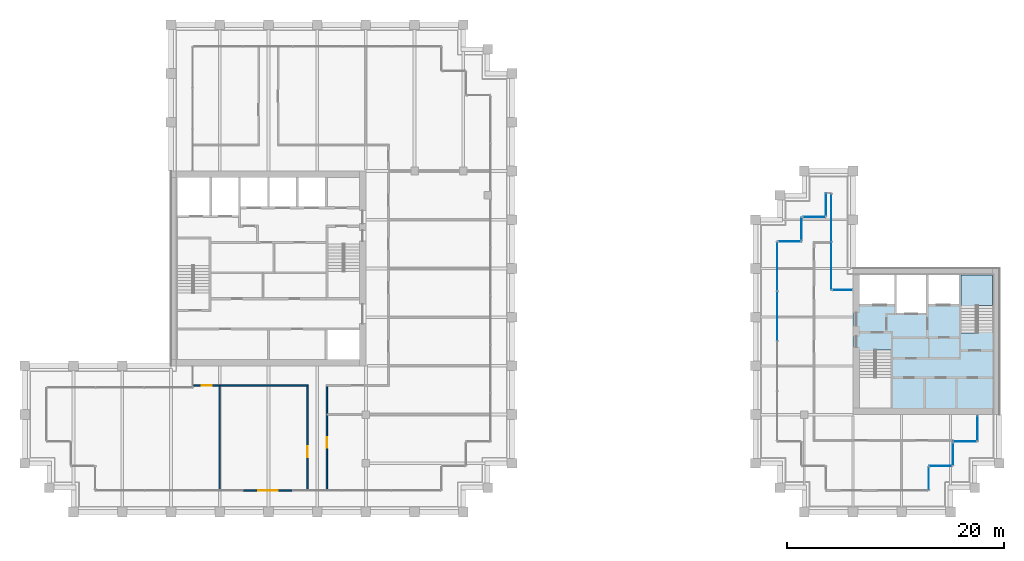
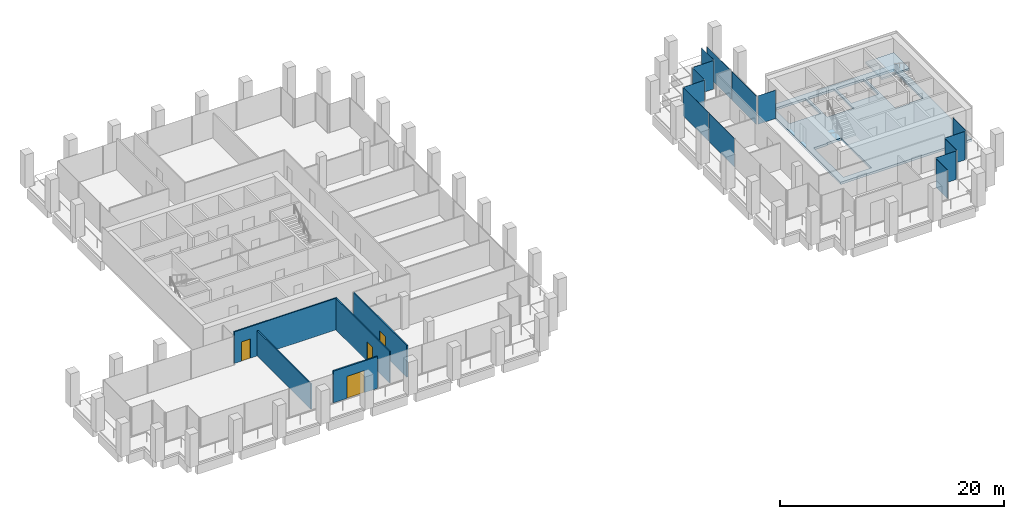
# One storey, part 35 of 40: 14 plates, 5 walls, 4 doors, 2 slabs, 4 openings, 13 elements without a shape of their own.
"""IFC4 building model written with IfcOpenShell, lengths in metres."""

from ifc_helpers import new_model, si_unit, direction, frame, frame_2d, origin, origin_2d, place, context, subcontext, project, spatial, polyline, rectangle, outline, extrude, material, layer, layer_set, type_object, element, fill, aggregate, save


model = new_model("IFC4")

# Units and contexts
model_context = context("Model", 3, precision=1e-05, world=origin(), true_north=direction((0.0, 1.0)))
body_context = subcontext(model_context, "Body", "Model", "MODEL_VIEW")
ifc_project = project(units=[si_unit("LENGTHUNIT", "METRE"), si_unit("AREAUNIT", "SQUARE_METRE"), si_unit("VOLUMEUNIT", "CUBIC_METRE"), si_unit("PLANEANGLEUNIT", "RADIAN"), si_unit("MASSUNIT", "GRAM", prefix="KILO")], contexts=[model_context])

# Site, building, storey
site_placement = place(None, origin())
site = spatial("IfcSite", under=ifc_project, at=site_placement, CompositionType="ELEMENT")
building_placement = place(site_placement, origin())
building = spatial("IfcBuilding", under=site, at=building_placement, Name="Altepetl Exchange Towers", CompositionType="ELEMENT")
storey_placement = place(building_placement, frame((0.0, 0.0, 151.0)))
storey = spatial("IfcBuildingStorey", under=building, at=storey_placement, Name="L37", CompositionType="ELEMENT", Elevation=151.0)

# Slab
ifc_material_1 = material(Name="Concrete C40/50", Category="concrete")
ifc_layer_1 = layer(ifc_material_1, 0.25)
ifc_layer_set_1 = layer_set([ifc_layer_1], Name="Concrete C40/50")
slab_type_1 = type_object("IfcSlabType", Name="Core floor slab 250", PredefinedType="FLOOR", material=ifc_layer_set_1)
slab_1_placement = place(storey_placement, frame((0.0, 0.0, -0.25)))
element("IfcSlab", 1, at=slab_1_placement, inside=storey, type_object=slab_type_1, Name="slab:B:L37:core0", PredefinedType="FLOOR", context=body_context, shape_type="SweptSolid", body=[
    extrude(outline(polyline([(103.5, 36.0), (117.0, 36.0), (117.0, 49.5), (103.5, 49.5), (103.5, 36.0)]), holes=[polyline([(107.0, 36.60009765625), (104.10009765625, 36.60009765625), (104.10009765625, 41.85009765625), (105.5, 41.85009765625), (105.5, 41.948974609375), (107.0, 41.948974609375), (107.0, 36.60009765625)]), polyline([(113.5, 48.89990234375), (116.39990234375, 48.89990234375), (116.39990234375, 43.64990234375), (115.0, 43.64990234375), (115.0, 43.551025390625), (113.5, 43.551025390625), (113.5, 48.89990234375)]), polyline([(107.532958984375, 45.39990234375), (107.532958984375, 48.89990234375), (110.26708984375, 48.89990234375), (110.26708984375, 45.39990234375), (107.532958984375, 45.39990234375)]), polyline([(104.10009765625, 48.89990234375), (107.3330078125, 48.89990234375), (107.3330078125, 46.199951171875), (104.10009765625, 46.199951171875), (104.10009765625, 48.89990234375)]), polyline([(110.467041015625, 48.89990234375), (113.300048828125, 48.89990234375), (113.300048828125, 46.199951171875), (110.467041015625, 46.199951171875), (110.467041015625, 48.89990234375)])]), origin(), (0.0, 0.0, 1.0), 0.25),
])

# Curtain wall, plate
ifc_material_2 = material(Name="Aluminium 6063-T6 glazing", Category="aluminium")
curtain_wall_type = type_object("IfcCurtainWallType", Name="Loggia glazing system", PredefinedType="NOTDEFINED", material=ifc_material_2)
curtain_wall_1_placement = place(storey_placement, origin())
curtain_wall_1 = element("IfcCurtainWall", 2, at=curtain_wall_1_placement, inside=storey, type_object=curtain_wall_type, Name="CW1 run", PredefinedType="NOTDEFINED")
ifc_material_3 = material(Name="Glass 6-16-6 low emissivity", Category="glass")
ifc_layer_2 = layer(ifc_material_3, 0.028076171875)
ifc_layer_set_2 = layer_set([ifc_layer_2], Name="Glass 6-16-6 low emissivity")
plate_type = type_object("IfcPlateType", Name="Glass panel 28 double glazed", PredefinedType="CURTAIN_PANEL", material=ifc_layer_set_2)
plate_1_placement = place(storey_placement, frame((110.5, 30.08740234375, 0.0), z_axis=(0.0, 0.0, 1.0), x_axis=(0.0, 1.0, 0.0)))
plate_1 = element("IfcPlate", 3, at=plate_1_placement, type_object=plate_type, Name="GP1 panel", PredefinedType="CURTAIN_PANEL", context=body_context, shape_type="SweptSolid", body=[
    extrude(rectangle(XDim=2.054931640625, YDim=0.028076171875, at=origin_2d()), origin(), (0.0, 0.0, 1.0), 3.10009765625),
])
aggregate(curtain_wall_1, [plate_1])

curtain_wall_2_placement = place(storey_placement, origin())
curtain_wall_2 = element("IfcCurtainWall", 4, at=curtain_wall_2_placement, inside=storey, type_object=curtain_wall_type, Name="CW1 run", PredefinedType="NOTDEFINED")
plate_2_placement = place(storey_placement, frame((111.58740234375, 31.25, 0.0)))
plate_2 = element("IfcPlate", 5, at=plate_2_placement, type_object=plate_type, Name="GP1 panel", PredefinedType="CURTAIN_PANEL", context=body_context, shape_type="SweptSolid", body=[
    extrude(rectangle(XDim=2.054931640625, YDim=0.028076171875, at=origin_2d()), origin(), (0.0, 0.0, 1.0), 3.10009765625),
])
aggregate(curtain_wall_2, [plate_2])

curtain_wall_3_placement = place(storey_placement, origin())
curtain_wall_3 = element("IfcCurtainWall", 6, at=curtain_wall_3_placement, inside=storey, type_object=curtain_wall_type, Name="CW1 run", PredefinedType="NOTDEFINED")
plate_3_placement = place(storey_placement, frame((112.75, 32.33740234375, 0.0), z_axis=(0.0, 0.0, 1.0), x_axis=(0.0, 1.0, 0.0)))
plate_3 = element("IfcPlate", 7, at=plate_3_placement, type_object=plate_type, Name="GP1 panel", PredefinedType="CURTAIN_PANEL", context=body_context, shape_type="SweptSolid", body=[
    extrude(rectangle(XDim=2.054931640625, YDim=0.028076171875, at=origin_2d()), origin(), (0.0, 0.0, 1.0), 3.10009765625),
])
aggregate(curtain_wall_3, [plate_3])

curtain_wall_4_placement = place(storey_placement, origin())
curtain_wall_4 = element("IfcCurtainWall", 8, at=curtain_wall_4_placement, inside=storey, type_object=curtain_wall_type, Name="CW1 run", PredefinedType="NOTDEFINED")
plate_4_placement = place(storey_placement, frame((113.83740234375, 33.5, 0.0)))
plate_4 = element("IfcPlate", 9, at=plate_4_placement, type_object=plate_type, Name="GP1 panel", PredefinedType="CURTAIN_PANEL", context=body_context, shape_type="SweptSolid", body=[
    extrude(rectangle(XDim=2.054931640625, YDim=0.028076171875, at=origin_2d()), origin(), (0.0, 0.0, 1.0), 3.10009765625),
])
aggregate(curtain_wall_4, [plate_4])

curtain_wall_5_placement = place(storey_placement, origin())
curtain_wall_5 = element("IfcCurtainWall", 10, at=curtain_wall_5_placement, inside=storey, type_object=curtain_wall_type, Name="CW1 run", PredefinedType="NOTDEFINED")
plate_5_placement = place(storey_placement, frame((115.0, 34.71240234375, 0.0), z_axis=(0.0, 0.0, 1.0), x_axis=(0.0, 1.0, 0.0)))
plate_5 = element("IfcPlate", 11, at=plate_5_placement, type_object=plate_type, Name="GP1 panel", PredefinedType="CURTAIN_PANEL", context=body_context, shape_type="SweptSolid", body=[
    extrude(rectangle(XDim=2.304931640625, YDim=0.028076171875, at=origin_2d()), origin(), (0.0, 0.0, 1.0), 3.10009765625),
])
aggregate(curtain_wall_5, [plate_5])

curtain_wall_6_placement = place(storey_placement, origin())
curtain_wall_6 = element("IfcCurtainWall", 12, at=curtain_wall_6_placement, inside=storey, type_object=curtain_wall_type, Name="CW1 run", PredefinedType="NOTDEFINED")
plate_6_placement = place(storey_placement, frame((102.53759765625, 47.5, 0.0), z_axis=(0.0, 0.0, 1.0), x_axis=(-1.0, 0.0, 0.0)))
plate_6 = element("IfcPlate", 13, at=plate_6_placement, type_object=plate_type, Name="GP1 panel", PredefinedType="CURTAIN_PANEL", context=body_context, shape_type="SweptSolid", body=[
    extrude(rectangle(XDim=1.804931640625, YDim=0.028076171875, at=origin_2d()), origin(), (0.0, 0.0, 1.0), 3.10009765625),
])
aggregate(curtain_wall_6, [plate_6])

# Curtain wall, plates
curtain_wall_7_placement = place(storey_placement, origin())
curtain_wall_7 = element("IfcCurtainWall", 14, at=curtain_wall_7_placement, inside=storey, type_object=curtain_wall_type, Name="CW1 run", PredefinedType="NOTDEFINED")
plate_7_placement = place(storey_placement, frame((101.5, 49.746337890625, 0.0), z_axis=(0.0, 0.0, 1.0), x_axis=(0.0, 1.0, 0.0)))
plate_7 = element("IfcPlate", 15, at=plate_7_placement, type_object=plate_type, Name="GP1 panel", PredefinedType="CURTAIN_PANEL", context=body_context, shape_type="SweptSolid", body=[
    extrude(rectangle(XDim=4.37255859375, YDim=0.028076171875, at=origin_2d()), origin(), (0.0, 0.0, 1.0), 3.10009765625),
])
plate_8_placement = place(storey_placement, frame((101.5, 54.1787109375, 0.0), z_axis=(0.0, 0.0, 1.0), x_axis=(0.0, 1.0, 0.0)))
plate_8 = element("IfcPlate", 16, at=plate_8_placement, type_object=plate_type, Name="GP1 panel", PredefinedType="CURTAIN_PANEL", context=body_context, shape_type="SweptSolid", body=[
    extrude(rectangle(XDim=4.37255859375, YDim=0.028076171875, at=origin_2d()), origin(), (0.0, 0.0, 1.0), 3.10009765625),
])
aggregate(curtain_wall_7, [plate_7, plate_8])

# Curtain wall, plate
curtain_wall_8_placement = place(storey_placement, origin())
curtain_wall_8 = element("IfcCurtainWall", 17, at=curtain_wall_8_placement, inside=storey, type_object=curtain_wall_type, Name="CW1 run", PredefinedType="NOTDEFINED")
plate_9_placement = place(storey_placement, frame((101.0, 55.41259765625, 0.0), z_axis=(0.0, 0.0, 1.0), x_axis=(0.0, -1.0, 0.0)))
plate_9 = element("IfcPlate", 18, at=plate_9_placement, type_object=plate_type, Name="GP1 panel", PredefinedType="CURTAIN_PANEL", context=body_context, shape_type="SweptSolid", body=[
    extrude(rectangle(XDim=2.054931640625, YDim=0.028076171875, at=origin_2d()), origin(), (0.0, 0.0, 1.0), 3.10009765625),
])
aggregate(curtain_wall_8, [plate_9])

curtain_wall_9_placement = place(storey_placement, origin())
curtain_wall_9 = element("IfcCurtainWall", 19, at=curtain_wall_9_placement, inside=storey, type_object=curtain_wall_type, Name="CW1 run", PredefinedType="NOTDEFINED")
plate_10_placement = place(storey_placement, frame((99.91259765625, 54.25, 0.0), z_axis=(0.0, 0.0, 1.0), x_axis=(-1.0, 0.0, 0.0)))
plate_10 = element("IfcPlate", 20, at=plate_10_placement, type_object=plate_type, Name="GP1 panel", PredefinedType="CURTAIN_PANEL", context=body_context, shape_type="SweptSolid", body=[
    extrude(rectangle(XDim=2.054931640625, YDim=0.028076171875, at=origin_2d()), origin(), (0.0, 0.0, 1.0), 3.10009765625),
])
aggregate(curtain_wall_9, [plate_10])

curtain_wall_10_placement = place(storey_placement, origin())
curtain_wall_10 = element("IfcCurtainWall", 21, at=curtain_wall_10_placement, inside=storey, type_object=curtain_wall_type, Name="CW1 run", PredefinedType="NOTDEFINED")
plate_11_placement = place(storey_placement, frame((98.75, 53.16259765625, 0.0), z_axis=(0.0, 0.0, 1.0), x_axis=(0.0, -1.0, 0.0)))
plate_11 = element("IfcPlate", 22, at=plate_11_placement, type_object=plate_type, Name="GP1 panel", PredefinedType="CURTAIN_PANEL", context=body_context, shape_type="SweptSolid", body=[
    extrude(rectangle(XDim=2.054931640625, YDim=0.028076171875, at=origin_2d()), origin(), (0.0, 0.0, 1.0), 3.10009765625),
])
aggregate(curtain_wall_10, [plate_11])

curtain_wall_11_placement = place(storey_placement, origin())
curtain_wall_11 = element("IfcCurtainWall", 23, at=curtain_wall_11_placement, inside=storey, type_object=curtain_wall_type, Name="CW1 run", PredefinedType="NOTDEFINED")
plate_12_placement = place(storey_placement, frame((97.66259765625, 52.0, 0.0), z_axis=(0.0, 0.0, 1.0), x_axis=(-1.0, 0.0, 0.0)))
plate_12 = element("IfcPlate", 24, at=plate_12_placement, type_object=plate_type, Name="GP1 panel", PredefinedType="CURTAIN_PANEL", context=body_context, shape_type="SweptSolid", body=[
    extrude(rectangle(XDim=2.054931640625, YDim=0.028076171875, at=origin_2d()), origin(), (0.0, 0.0, 1.0), 3.10009765625),
])
aggregate(curtain_wall_11, [plate_12])

# Curtain wall, plates
curtain_wall_12_placement = place(storey_placement, origin())
curtain_wall_12 = element("IfcCurtainWall", 25, at=curtain_wall_12_placement, inside=storey, type_object=curtain_wall_type, Name="CW1 run", PredefinedType="NOTDEFINED")
plate_13_placement = place(storey_placement, frame((96.5, 49.681884765625, 0.0), z_axis=(0.0, 0.0, 1.0), x_axis=(0.0, -1.0, 0.0)))
plate_13 = element("IfcPlate", 26, at=plate_13_placement, type_object=plate_type, Name="GP1 panel", PredefinedType="CURTAIN_PANEL", context=body_context, shape_type="SweptSolid", body=[
    extrude(rectangle(XDim=4.516357421875, YDim=0.028076171875, at=origin_2d()), origin(), (0.0, 0.0, 1.0), 3.10009765625),
])
plate_14_placement = place(storey_placement, frame((96.5, 45.090576171875, 0.0), z_axis=(0.0, 0.0, 1.0), x_axis=(0.0, -1.0, 0.0)))
plate_14 = element("IfcPlate", 27, at=plate_14_placement, type_object=plate_type, Name="GP1 panel", PredefinedType="CURTAIN_PANEL", context=body_context, shape_type="SweptSolid", body=[
    extrude(rectangle(XDim=4.546142578125, YDim=0.028076171875, at=origin_2d()), origin(), (0.0, 0.0, 1.0), 3.10009765625),
])
aggregate(curtain_wall_12, [plate_13, plate_14])

# Stair, slab
stair_type = type_object("IfcStairType", Name="Exit stair 1400 flights dogleg", PredefinedType="HALF_TURN_STAIR", material=ifc_material_1)
stair_placement = place(storey_placement, origin())
stair = element("IfcStair", 28, at=stair_placement, inside=storey, type_object=stair_type, Name="Exit stair 2", PredefinedType="HALF_TURN_STAIR")
ifc_layer_3 = layer(ifc_material_1, 0.199951171875)
ifc_layer_set_3 = layer_set([ifc_layer_3], Name="Concrete C40/50")
slab_type_2 = type_object("IfcSlabType", Name="Stair landing 200 reinforced concrete", PredefinedType="LANDING", material=ifc_layer_set_3)
slab_2_placement = place(storey_placement, frame((0.0, 0.0, 1.60009765625)))
slab_2 = element("IfcSlab", 29, at=slab_2_placement, type_object=slab_type_2, Name="ST-B2e landing 1", PredefinedType="LANDING", context=body_context, shape_type="SweptSolid", body=[
    extrude(outline(polyline([(114.89990234375, 45.969970703125), (113.5, 45.969970703125), (113.5, 46.070068359375), (113.5, 48.89990234375), (116.39990234375, 48.89990234375), (116.39990234375, 46.070068359375), (116.39990234375, 46.0693359375), (115.0, 46.0693359375), (115.0, 46.070068359375), (114.89990234375, 46.070068359375), (114.89990234375, 45.969970703125)])), origin(), (0.0, 0.0, 1.0), 0.199951171875),
])
aggregate(stair, [slab_2])

# Wall, opening, door
ifc_material_4 = material(Name="Aluminium composite cladding", Category="aluminium")
ifc_layer_4 = layer(ifc_material_4, 0.14990234375)
ifc_layer_set_4 = layer_set([ifc_layer_4], Name="Aluminium composite cladding")
wall_type_1 = type_object("IfcWallType", Name="Infill wall 150 aluminium panel", PredefinedType="SOLIDWALL", material=ifc_layer_set_4)
wall_1_placement = place(storey_placement, frame((47.18212890625, 29.0, 0.0)))
wall_1 = element("IfcWall", 30, at=wall_1_placement, inside=storey, type_object=wall_type_1, Name="Loggia door bay wall", PredefinedType="SOLIDWALL", context=body_context, shape_type="SweptSolid", body=[
    extrude(rectangle(XDim=4.560791015625, YDim=0.14990234375, at=frame_2d((2.2802734375, 0.0))), origin(), (0.0, 0.0, 1.0), 3.449951171875),
])
opening_1_placement = place(wall_1_placement, frame((1.38037109375, 0.0, 0.0)))
opening_1 = element("IfcOpeningElement", 31, at=opening_1_placement, cuts=wall_1, Name="Opening L37.A90", PredefinedType="OPENING", context=body_context, shape_type="SweptSolid", body=[
    extrude(rectangle(XDim=1.800048828125, YDim=2.39990234375, at=frame_2d((0.89990234375, 1.199951171875))), frame((0.0, 0.0849609375, 0.0), z_axis=(0.0, -1.0, 0.0), x_axis=(1.0, 0.0, 0.0)), (0.0, 0.0, 1.0), 0.169921875),
])
ifc_material_5 = material(Name="Aluminium 6063-T6 and glass", Category="aluminium")
door_type_1 = type_object("IfcDoorType", Name="Glazed door pair 1800x2400", OperationType="DOUBLE_DOOR_DOUBLE_SWING", PredefinedType="NOTDEFINED", material=ifc_material_5)
door_1_placement = place(opening_1_placement, frame((1.800048828125, 0.0, 0.0), x_axis=(-1.0, 0.0, 0.0)))
door_1 = element("IfcDoor", 32, at=door_1_placement, inside=storey, type_object=door_type_1, Name="Loggia door", OperationType="DOUBLE_DOOR_DOUBLE_SWING", OverallHeight=2.39990234375, OverallWidth=1.800048828125, PredefinedType="NOTDEFINED", context=body_context, shape_type="SweptSolid", body=[
    extrude(rectangle(XDim=1.800048828125, YDim=2.39990234375, at=frame_2d((0.89990234375, 1.199951171875))), frame((0.0, 0.02490234375, 0.0), z_axis=(0.0, -1.0, 0.0), x_axis=(1.0, 0.0, 0.0)), (0.0, 0.0, 1.0), 0.050048828125),
])
fill(opening_1, door_1)

ifc_material_6 = material(Name="Gypsum board on steel studs", Category="steel")
ifc_layer_5 = layer(ifc_material_6, 0.125)
ifc_layer_set_5 = layer_set([ifc_layer_5], Name="Gypsum board on steel studs")
wall_type_2 = type_object("IfcWallType", Name="Partition 125 gypsum board on steel studs", PredefinedType="PARTITIONING", material=ifc_layer_set_5)
wall_2_placement = place(storey_placement, frame((42.60009765625, 38.699951171875, 0.0)))
wall_2 = element("IfcWall", 33, at=wall_2_placement, inside=storey, type_object=wall_type_2, Name="wall:A:L37:P03", PredefinedType="PARTITIONING", context=body_context, shape_type="SweptSolid", body=[
    extrude(rectangle(XDim=10.5625, YDim=0.125, at=frame_2d((5.28125, 0.0))), origin(), (0.0, 0.0, 1.0), 3.449951171875),
])
opening_2_placement = place(wall_2_placement, frame((0.75, 0.0, 0.0)))
opening_2 = element("IfcOpeningElement", 34, at=opening_2_placement, cuts=wall_2, Name="Opening L37.A01", PredefinedType="OPENING", context=body_context, shape_type="SweptSolid", body=[
    extrude(rectangle(XDim=0.89990234375, YDim=2.10009765625, at=frame_2d((0.449951171875, 1.050048828125))), frame((0.0, 0.072509765625, 0.0), z_axis=(0.0, -1.0, 0.0), x_axis=(1.0, 0.0, 0.0)), (0.0, 0.0, 1.0), 0.14501953125),
])
ifc_material_7 = material(Name="Steel and timber fire door", Category="steel")
door_type_2 = type_object("IfcDoorType", Name="Fire door 900 x 2100 single leaf", OperationType="SINGLE_SWING_LEFT", PredefinedType="DOOR", material=ifc_material_7)
door_2_placement = place(opening_2_placement, frame((0.89990234375, 0.0, 0.0), x_axis=(-1.0, 0.0, 0.0)))
door_2 = element("IfcDoor", 35, at=door_2_placement, inside=storey, type_object=door_type_2, Name="door:A:L37:01", OperationType="SINGLE_SWING_RIGHT", OverallHeight=2.10009765625, OverallWidth=0.89990234375, PredefinedType="DOOR", context=body_context, shape_type="SweptSolid", body=[
    extrude(rectangle(XDim=0.89990234375, YDim=2.10009765625, at=frame_2d((0.449951171875, 1.050048828125))), frame((0.0, 0.02490234375, 0.0), z_axis=(0.0, -1.0, 0.0), x_axis=(1.0, 0.0, 0.0)), (0.0, 0.0, 1.0), 0.050048828125),
])
fill(opening_2, door_2)

# Wall
wall_3_placement = place(storey_placement, frame((45.0, 29.10009765625, 0.0), z_axis=(0.0, 0.0, 1.0), x_axis=(0.0, 1.0, 0.0)))
element("IfcWall", 36, at=wall_3_placement, inside=storey, type_object=wall_type_2, Name="wall:A:L37:P14", PredefinedType="PARTITIONING", context=body_context, shape_type="SweptSolid", body=[
    extrude(rectangle(XDim=9.599853515625, YDim=0.125, at=frame_2d((4.7998046875, 0.0))), origin(), (0.0, 0.0, 1.0), 2.76611328125),
])

# Wall, opening, door
wall_4_placement = place(storey_placement, frame((53.10009765625, 29.10009765625, 0.0), z_axis=(0.0, 0.0, 1.0), x_axis=(0.0, 1.0, 0.0)))
wall_4 = element("IfcWall", 37, at=wall_4_placement, inside=storey, type_object=wall_type_2, Name="wall:A:L37:P17", PredefinedType="PARTITIONING", context=body_context, shape_type="SweptSolid", body=[
    extrude(rectangle(XDim=9.537353515625, YDim=0.125, at=frame_2d((4.7685546875, 0.0))), origin(), (0.0, 0.0, 1.0), 3.449951171875),
])
opening_3_placement = place(wall_4_placement, frame((2.952880859375, 0.0, 0.0)))
opening_3 = element("IfcOpeningElement", 38, at=opening_3_placement, cuts=wall_4, Name="Opening L37.A02", PredefinedType="OPENING", context=body_context, shape_type="SweptSolid", body=[
    extrude(rectangle(XDim=1.0, YDim=2.10009765625, at=frame_2d((0.5, 1.050048828125))), frame((0.0, 0.072509765625, 0.0), z_axis=(0.0, -1.0, 0.0), x_axis=(1.0, 0.0, 0.0)), (0.0, 0.0, 1.0), 0.14501953125),
])
door_type_3 = type_object("IfcDoorType", Name="Fire door 1000 x 2100 single leaf", OperationType="SINGLE_SWING_LEFT", PredefinedType="DOOR", material=ifc_material_7)
door_3_placement = place(opening_3_placement, origin())
door_3 = element("IfcDoor", 39, at=door_3_placement, inside=storey, type_object=door_type_3, Name="door:A:L37:02", OperationType="SINGLE_SWING_RIGHT", OverallHeight=2.10009765625, OverallWidth=1.0, PredefinedType="DOOR", context=body_context, shape_type="SweptSolid", body=[
    extrude(rectangle(XDim=1.0, YDim=2.10009765625, at=frame_2d((0.5, 1.050048828125))), frame((0.0, 0.02490234375, 0.0), z_axis=(0.0, -1.0, 0.0), x_axis=(1.0, 0.0, 0.0)), (0.0, 0.0, 1.0), 0.050048828125),
])
fill(opening_3, door_3)

wall_5_placement = place(storey_placement, frame((54.89990234375, 29.10009765625, 0.0), z_axis=(0.0, 0.0, 1.0), x_axis=(0.0, 1.0, 0.0)))
wall_5 = element("IfcWall", 40, at=wall_5_placement, inside=storey, type_object=wall_type_2, Name="wall:A:L37:P18", PredefinedType="PARTITIONING", context=body_context, shape_type="SweptSolid", body=[
    extrude(rectangle(XDim=9.537353515625, YDim=0.125, at=frame_2d((4.7685546875, 0.0))), origin(), (0.0, 0.0, 1.0), 3.449951171875),
])
opening_4_placement = place(wall_5_placement, frame((3.824951171875, 0.0, 0.0)))
opening_4 = element("IfcOpeningElement", 41, at=opening_4_placement, cuts=wall_5, Name="Opening L37.A03", PredefinedType="OPENING", context=body_context, shape_type="SweptSolid", body=[
    extrude(rectangle(XDim=1.0, YDim=2.10009765625, at=frame_2d((0.5, 1.050048828125))), frame((0.0, 0.072509765625, 0.0), z_axis=(0.0, -1.0, 0.0), x_axis=(1.0, 0.0, 0.0)), (0.0, 0.0, 1.0), 0.14501953125),
])
door_4_placement = place(opening_4_placement, frame((1.0, 0.0, 0.0), x_axis=(-1.0, 0.0, 0.0)))
door_4 = element("IfcDoor", 42, at=door_4_placement, inside=storey, type_object=door_type_3, Name="door:A:L37:03", OperationType="SINGLE_SWING_LEFT", OverallHeight=2.10009765625, OverallWidth=1.0, PredefinedType="DOOR", context=body_context, shape_type="SweptSolid", body=[
    extrude(rectangle(XDim=1.0, YDim=2.10009765625, at=frame_2d((0.5, 1.050048828125))), frame((0.0, 0.02490234375, 0.0), z_axis=(0.0, -1.0, 0.0), x_axis=(1.0, 0.0, 0.0)), (0.0, 0.0, 1.0), 0.050048828125),
])
fill(opening_4, door_4)

save(model, "model.ifc")
